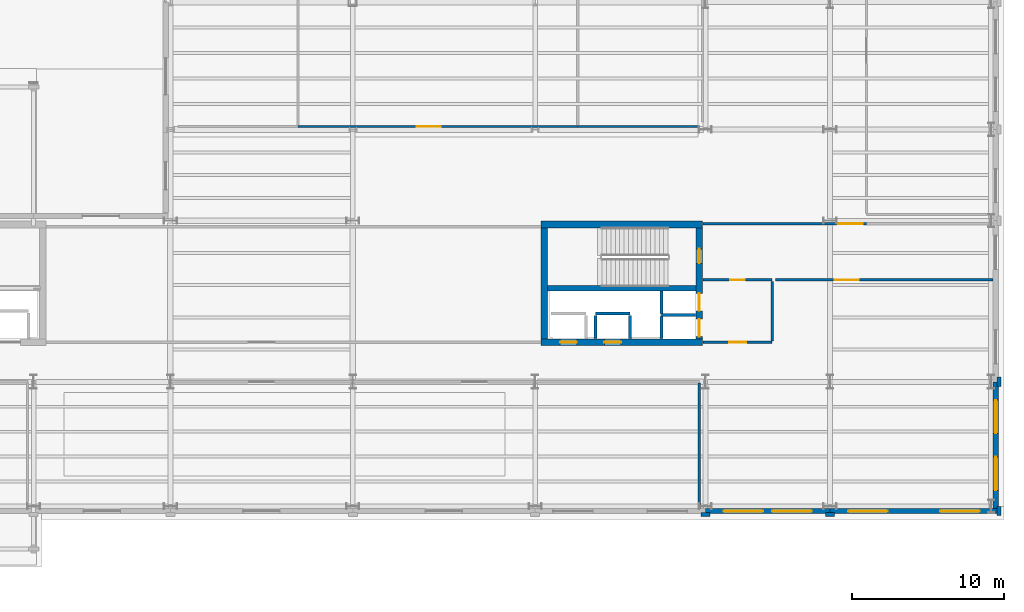
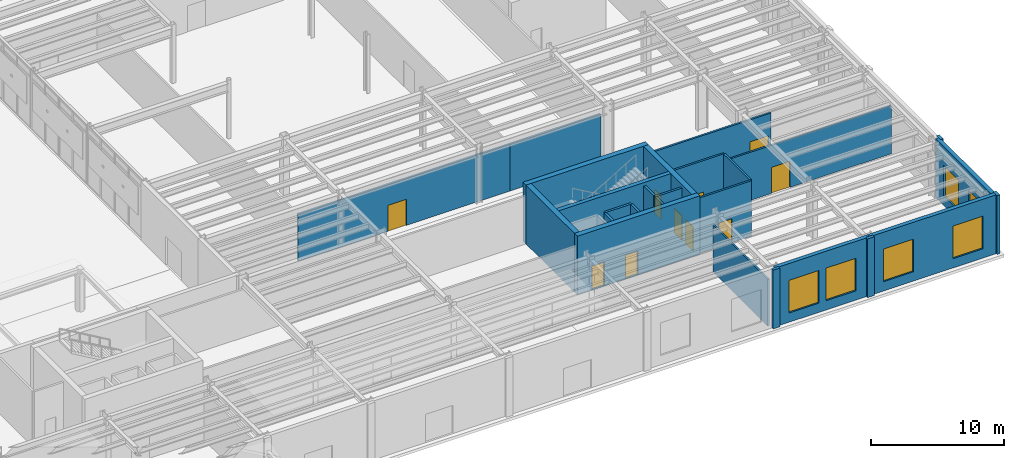
# One storey, part 78 of 94: 26 walls, 10 doors, 6 windows, 16 openings.
"""IFC4 building model written with IfcOpenShell, lengths in metres."""

from ifc_helpers import new_model, si_unit, direction, frame, frame_2d, origin, place, context, subcontext, project, spatial, rectangle, extrude, material, layer, layer_set, type_object, element, fill, save


model = new_model("IFC4")

# Units and contexts
model_context = context("Model", 3, precision=1e-05, world=origin(), true_north=direction((0.0, 1.0)))
body_context = subcontext(model_context, "Body", "Model", "MODEL_VIEW")
ifc_project = project(units=[si_unit("LENGTHUNIT", "METRE"), si_unit("AREAUNIT", "SQUARE_METRE"), si_unit("VOLUMEUNIT", "CUBIC_METRE"), si_unit("PLANEANGLEUNIT", "RADIAN"), si_unit("MASSUNIT", "GRAM", prefix="KILO")], contexts=[model_context])

# Site, building, storey
site_placement = place(None, origin())
site = spatial("IfcSite", under=ifc_project, at=site_placement, CompositionType="ELEMENT")
building_placement = place(site_placement, origin())
building = spatial("IfcBuilding", under=site, at=building_placement, Name="Sollismere Congress Hotel", CompositionType="ELEMENT")
storey_placement = place(building_placement, origin())
storey = spatial("IfcBuildingStorey", under=building, at=storey_placement, Name="L00", CompositionType="ELEMENT", Elevation=0.0)

# Wall, openings, windows
ifc_material_1 = material(Name="Colorado Buff Sandstone and Limestone Backup C40/50", Category="masonry")
ifc_layer_1 = layer(ifc_material_1, 0.340087890625, Name="Colorado Buff Sandstone and Limestone Backup C40/50")
ifc_layer_set_1 = layer_set([ifc_layer_1], Name="Colorado Buff Sandstone and Limestone Backup C40/50")
wall_type_1 = type_object("IfcWallType", Name="WL-EXT340", PredefinedType="STANDARD", material=ifc_layer_set_1)
wall_1_placement = place(storey_placement, frame((147.199951171875, -0.31005859375, 0.0), z_axis=(0.0, 0.0, 1.0), x_axis=(1.0, 0.0, 0.0)))
wall_1 = element("IfcWall", 1, at=wall_1_placement, inside=storey, type_object=wall_type_1, Name="Exterior wall EW-L00-244", PredefinedType="STANDARD", context=body_context, shape_type="SweptSolid", body=[
    extrude(rectangle(XDim=8.199951171875, YDim=0.340087890625, at=frame_2d((4.10009765625, 0.0))), origin(), (0.0, 0.0, 1.0), 5.39990234375),
])
opening_1_placement = place(wall_1_placement, frame((1.199951171875, 0.0, 0.85009765625)))
opening_1 = element("IfcOpeningElement", 2, at=opening_1_placement, cuts=wall_1, Name="Opening W-L00-202", PredefinedType="OPENING", context=body_context, shape_type="SweptSolid", body=[
    extrude(rectangle(XDim=2.60009765625, YDim=3.0, at=frame_2d((1.300048828125, 1.5))), frame((0.0, 0.179931640625, 0.0), z_axis=(0.0, -1.0, 0.0), x_axis=(1.0, 0.0, 0.0)), (0.0, 0.0, 1.0), 0.360107421875),
])
opening_2_placement = place(wall_1_placement, frame((4.39990234375, 0.0, 0.85009765625)))
opening_2 = element("IfcOpeningElement", 3, at=opening_2_placement, cuts=wall_1, Name="Opening W-L00-203", PredefinedType="OPENING", context=body_context, shape_type="SweptSolid", body=[
    extrude(rectangle(XDim=2.60009765625, YDim=3.0, at=frame_2d((1.300048828125, 1.5))), frame((0.0, 0.179931640625, 0.0), z_axis=(0.0, -1.0, 0.0), x_axis=(1.0, 0.0, 0.0)), (0.0, 0.0, 1.0), 0.360107421875),
])
ifc_material_2 = material(Name="Thermally Broken Bronze Aluminum & Low-E Glass", Category="aluminium")
window_type_1 = type_object("IfcWindowType", Name="WN-A260x300", PartitioningType="SINGLE_PANEL", PredefinedType="WINDOW", material=ifc_material_2)
window_1_placement = place(opening_1_placement, origin())
window_1 = element("IfcWindow", 4, at=window_1_placement, inside=storey, type_object=window_type_1, Name="WIN-W-L00-202", OverallHeight=3.0, OverallWidth=2.60009765625, PartitioningType="SINGLE_PANEL", PredefinedType="WINDOW", context=body_context, shape_type="SweptSolid", body=[
    extrude(rectangle(XDim=2.60009765625, YDim=3.0, at=frame_2d((1.300048828125, 1.5))), frame((0.0, 0.030029296875, 0.0), z_axis=(0.0, -1.0, 0.0), x_axis=(1.0, 0.0, 0.0)), (0.0, 0.0, 1.0), 0.06005859375),
])
fill(opening_1, window_1)
window_2_placement = place(opening_2_placement, origin())
window_2 = element("IfcWindow", 5, at=window_2_placement, inside=storey, type_object=window_type_1, Name="WIN-W-L00-203", OverallHeight=3.0, OverallWidth=2.60009765625, PartitioningType="SINGLE_PANEL", PredefinedType="WINDOW", context=body_context, shape_type="SweptSolid", body=[
    extrude(rectangle(XDim=2.60009765625, YDim=3.0, at=frame_2d((1.300048828125, 1.5))), frame((0.0, 0.030029296875, 0.0), z_axis=(0.0, -1.0, 0.0), x_axis=(1.0, 0.0, 0.0)), (0.0, 0.0, 1.0), 0.06005859375),
])
fill(opening_2, window_2)

wall_2_placement = place(storey_placement, frame((155.39990234375, -0.31005859375, 0.0), z_axis=(0.0, 0.0, 1.0), x_axis=(1.0, 0.0, 0.0)))
wall_2 = element("IfcWall", 6, at=wall_2_placement, inside=storey, type_object=wall_type_1, Name="Exterior wall EW-L00-246", PredefinedType="STANDARD", context=body_context, shape_type="SweptSolid", body=[
    extrude(rectangle(XDim=11.050048828125, YDim=0.340087890625, at=frame_2d((5.52490234375, 0.0))), origin(), (0.0, 0.0, 1.0), 5.39990234375),
])
opening_3_placement = place(wall_2_placement, frame((1.199951171875, 0.0, 0.85009765625)))
opening_3 = element("IfcOpeningElement", 7, at=opening_3_placement, cuts=wall_2, Name="Opening W-L00-204", PredefinedType="OPENING", context=body_context, shape_type="SweptSolid", body=[
    extrude(rectangle(XDim=2.60009765625, YDim=3.0, at=frame_2d((1.300048828125, 1.5))), frame((0.0, 0.179931640625, 0.0), z_axis=(0.0, -1.0, 0.0), x_axis=(1.0, 0.0, 0.0)), (0.0, 0.0, 1.0), 0.360107421875),
])
opening_4_placement = place(wall_2_placement, frame((7.25, 0.0, 0.85009765625)))
opening_4 = element("IfcOpeningElement", 8, at=opening_4_placement, cuts=wall_2, Name="Opening W-L00-205", PredefinedType="OPENING", context=body_context, shape_type="SweptSolid", body=[
    extrude(rectangle(XDim=2.60009765625, YDim=3.0, at=frame_2d((1.300048828125, 1.5))), frame((0.0, 0.179931640625, 0.0), z_axis=(0.0, -1.0, 0.0), x_axis=(1.0, 0.0, 0.0)), (0.0, 0.0, 1.0), 0.360107421875),
])
window_3_placement = place(opening_3_placement, origin())
window_3 = element("IfcWindow", 9, at=window_3_placement, inside=storey, type_object=window_type_1, Name="WIN-W-L00-204", OverallHeight=3.0, OverallWidth=2.60009765625, PartitioningType="SINGLE_PANEL", PredefinedType="WINDOW", context=body_context, shape_type="SweptSolid", body=[
    extrude(rectangle(XDim=2.60009765625, YDim=3.0, at=frame_2d((1.300048828125, 1.5))), frame((0.0, 0.030029296875, 0.0), z_axis=(0.0, -1.0, 0.0), x_axis=(1.0, 0.0, 0.0)), (0.0, 0.0, 1.0), 0.06005859375),
])
fill(opening_3, window_3)
window_4_placement = place(opening_4_placement, origin())
window_4 = element("IfcWindow", 10, at=window_4_placement, inside=storey, type_object=window_type_1, Name="WIN-W-L00-205", OverallHeight=3.0, OverallWidth=2.60009765625, PartitioningType="SINGLE_PANEL", PredefinedType="WINDOW", context=body_context, shape_type="SweptSolid", body=[
    extrude(rectangle(XDim=2.60009765625, YDim=3.0, at=frame_2d((1.300048828125, 1.5))), frame((0.0, 0.030029296875, 0.0), z_axis=(0.0, -1.0, 0.0), x_axis=(1.0, 0.0, 0.0)), (0.0, 0.0, 1.0), 0.06005859375),
])
fill(opening_4, window_4)

wall_3_placement = place(storey_placement, frame((166.31005859375, -0.137939453125, 0.0), z_axis=(0.0, 0.0, 1.0), x_axis=(0.0, 1.0, 0.0)))
wall_3 = element("IfcWall", 11, at=wall_3_placement, inside=storey, type_object=wall_type_1, Name="Exterior wall EW-L00-248", PredefinedType="STANDARD", context=body_context, shape_type="SweptSolid", body=[
    extrude(rectangle(XDim=8.337890625, YDim=0.340087890625, at=frame_2d((4.1689453125, 0.0))), origin(), (0.0, 0.0, 1.0), 5.39990234375),
])
opening_5_placement = place(wall_3_placement, frame((1.199951171875, 0.0, 0.85009765625)))
opening_5 = element("IfcOpeningElement", 12, at=opening_5_placement, cuts=wall_3, Name="Opening W-L00-206", PredefinedType="OPENING", context=body_context, shape_type="SweptSolid", body=[
    extrude(rectangle(XDim=2.199951171875, YDim=2.800048828125, at=frame_2d((1.10009765625, 1.39990234375))), frame((0.0, 0.179931640625, 0.0), z_axis=(0.0, -1.0, 0.0), x_axis=(1.0, 0.0, 0.0)), (0.0, 0.0, 1.0), 0.360107421875),
])
opening_6_placement = place(wall_3_placement, frame((4.93798828125, 0.0, 0.85009765625)))
opening_6 = element("IfcOpeningElement", 13, at=opening_6_placement, cuts=wall_3, Name="Opening W-L00-207", PredefinedType="OPENING", context=body_context, shape_type="SweptSolid", body=[
    extrude(rectangle(XDim=2.199951171875, YDim=2.800048828125, at=frame_2d((1.10009765625, 1.39990234375))), frame((0.0, 0.179931640625, 0.0), z_axis=(0.0, -1.0, 0.0), x_axis=(1.0, 0.0, 0.0)), (0.0, 0.0, 1.0), 0.360107421875),
])
window_type_2 = type_object("IfcWindowType", Name="WN-A220x280", PartitioningType="SINGLE_PANEL", PredefinedType="WINDOW", material=ifc_material_2)
window_5_placement = place(opening_5_placement, origin())
window_5 = element("IfcWindow", 14, at=window_5_placement, inside=storey, type_object=window_type_2, Name="WIN-W-L00-206", OverallHeight=2.800048828125, OverallWidth=2.199951171875, PartitioningType="SINGLE_PANEL", PredefinedType="WINDOW", context=body_context, shape_type="SweptSolid", body=[
    extrude(rectangle(XDim=2.199951171875, YDim=2.800048828125, at=frame_2d((1.10009765625, 1.39990234375))), frame((0.0, 0.030029296875, 0.0), z_axis=(0.0, -1.0, 0.0), x_axis=(1.0, 0.0, 0.0)), (0.0, 0.0, 1.0), 0.06005859375),
])
fill(opening_5, window_5)
window_6_placement = place(opening_6_placement, origin())
window_6 = element("IfcWindow", 15, at=window_6_placement, inside=storey, type_object=window_type_2, Name="WIN-W-L00-207", OverallHeight=2.800048828125, OverallWidth=2.199951171875, PartitioningType="SINGLE_PANEL", PredefinedType="WINDOW", context=body_context, shape_type="SweptSolid", body=[
    extrude(rectangle(XDim=2.199951171875, YDim=2.800048828125, at=frame_2d((1.10009765625, 1.39990234375))), frame((0.0, 0.030029296875, 0.0), z_axis=(0.0, -1.0, 0.0), x_axis=(1.0, 0.0, 0.0)), (0.0, 0.0, 1.0), 0.06005859375),
])
fill(opening_6, window_6)

# Walls
ifc_material_3 = material(Name="Carved Travertine Pilaster & Frieze Assembly", Category="masonry")
ifc_layer_2 = layer(ifc_material_3, 0.260009765625, Name="Carved Travertine Pilaster & Frieze Assembly")
ifc_layer_set_2 = layer_set([ifc_layer_2], Name="Carved Travertine Pilaster & Frieze Assembly")
wall_type_2 = type_object("IfcWallType", Name="WL-PIL280", PredefinedType="ELEMENTEDWALL", material=ifc_layer_set_2)
wall_4_placement = place(storey_placement, frame((146.89990234375, -0.52001953125, 0.0), z_axis=(0.0, 0.0, 1.0), x_axis=(1.0, 0.0, 0.0)))
element("IfcWall", 16, at=wall_4_placement, inside=storey, type_object=wall_type_2, Name="Exterior wall EW-L00-245", PredefinedType="ELEMENTEDWALL", context=body_context, shape_type="SweptSolid", body=[
    extrude(rectangle(XDim=0.60009765625, YDim=0.260009765625, at=frame_2d((0.300048828125, 0.0))), origin(), (0.0, 0.0, 1.0), 5.39990234375),
])
wall_5_placement = place(storey_placement, frame((155.10009765625, -0.52001953125, 0.0), z_axis=(0.0, 0.0, 1.0), x_axis=(1.0, 0.0, 0.0)))
element("IfcWall", 17, at=wall_5_placement, inside=storey, type_object=wall_type_2, Name="Exterior wall EW-L00-247", PredefinedType="ELEMENTEDWALL", context=body_context, shape_type="SweptSolid", body=[
    extrude(rectangle(XDim=0.599853515625, YDim=0.260009765625, at=frame_2d((0.2998046875, 0.0))), origin(), (0.0, 0.0, 1.0), 5.39990234375),
])
for number, where, z_axis, x_axis, name in (
    (18, (166.52001953125, -0.610107421875, 0.0), (0.0, 0.0, 1.0), (0.0, 1.0, 0.0), "Exterior wall EW-L00-249"),
    (19, (166.52001953125, 7.89990234375, 0.0), (0.0, 0.0, 1.0), (0.0, 1.0, 0.0), "Exterior wall EW-L00-251"),
):
    element("IfcWall", number, at=place(storey_placement, frame(where, z_axis=z_axis, x_axis=x_axis)), inside=storey, type_object=wall_type_2, Name=name, PredefinedType="ELEMENTEDWALL", context=body_context, shape_type="SweptSolid", body=[
        extrude(rectangle(XDim=0.60009765625, YDim=0.260009765625, at=frame_2d((0.300048828125, 0.0))), origin(), (0.0, 0.0, 1.0), 5.39990234375),
    ])
ifc_material_4 = material(Name="Moisture-Resistant Shaft Gypsum Assembly")
ifc_layer_3 = layer(ifc_material_4, 0.199951171875, Name="Moisture-Resistant Shaft Gypsum Assembly")
ifc_layer_set_3 = layer_set([ifc_layer_3], Name="Moisture-Resistant Shaft Gypsum Assembly")
wall_type_3 = type_object("IfcWallType", Name="WL-PLM200", PredefinedType="PLUMBINGWALL", material=ifc_layer_set_3)
wall_6_placement = place(storey_placement, frame((139.955078125, 12.68994140625, 0.0), z_axis=(0.0, 0.0, 1.0), x_axis=(1.0, 0.0, 0.0)))
element("IfcWall", 20, at=wall_6_placement, inside=storey, type_object=wall_type_3, Name="Interior wall IW-L00-0024", PredefinedType="PLUMBINGWALL", context=body_context, shape_type="SweptSolid", body=[
    extrude(rectangle(XDim=2.2900390625, YDim=0.199951171875, at=frame_2d((1.14501953125, 0.0))), origin(), (0.0, 0.0, 1.0), 5.090087890625),
])
for number, where, z_axis, x_axis, name in (
    (21, (139.955078125, 11.037109375, 0.0), (0.0, 0.0, 1.0), (0.0, 1.0, 0.0), "Interior wall IW-L00-0025"),
    (22, (142.2451171875, 11.037109375, 0.0), (0.0, 0.0, 1.0), (0.0, 1.0, 0.0), "Interior wall IW-L00-0026"),
):
    element("IfcWall", number, at=place(storey_placement, frame(where, z_axis=z_axis, x_axis=x_axis)), inside=storey, type_object=wall_type_3, Name=name, PredefinedType="PLUMBINGWALL", context=body_context, shape_type="SweptSolid", body=[
        extrude(rectangle(XDim=1.540771484375, YDim=0.199951171875, at=frame_2d((0.7705078125, 0.0))), origin(), (0.0, 0.0, 1.0), 5.090087890625),
    ])
wall_7_placement = place(storey_placement, frame((144.31005859375, 12.594970703125, 0.0), z_axis=(0.0, 0.0, 1.0), x_axis=(1.0, 0.0, 0.0)))
element("IfcWall", 23, at=wall_7_placement, inside=storey, type_object=wall_type_3, Name="Interior wall IW-L00-0027", PredefinedType="PLUMBINGWALL", context=body_context, shape_type="SweptSolid", body=[
    extrude(rectangle(XDim=2.2529296875, YDim=0.199951171875, at=frame_2d((1.12646484375, 0.0))), origin(), (0.0, 0.0, 1.0), 5.090087890625),
])
wall_8_placement = place(storey_placement, frame((144.31005859375, 11.037109375, 0.0), z_axis=(0.0, 0.0, 1.0), x_axis=(0.0, 1.0, 0.0)))
element("IfcWall", 24, at=wall_8_placement, inside=storey, type_object=wall_type_3, Name="Interior wall IW-L00-0028", PredefinedType="PLUMBINGWALL", context=body_context, shape_type="SweptSolid", body=[
    extrude(rectangle(XDim=1.44580078125, YDim=0.199951171875, at=frame_2d((0.722900390625, 0.0))), origin(), (0.0, 0.0, 1.0), 5.090087890625),
])
wall_9_placement = place(storey_placement, frame((144.31005859375, 12.70703125, 0.0), z_axis=(0.0, 0.0, 1.0), x_axis=(0.0, 1.0, 0.0)))
element("IfcWall", 25, at=wall_9_placement, inside=storey, type_object=wall_type_3, Name="Interior wall IW-L00-0029", PredefinedType="PLUMBINGWALL", context=body_context, shape_type="SweptSolid", body=[
    extrude(rectangle(XDim=1.4560546875, YDim=0.199951171875, at=frame_2d((0.72802734375, 0.0))), origin(), (0.0, 0.0, 1.0), 5.090087890625),
])

# Wall, opening, door
ifc_material_5 = material(Name="Fire-Rated Gypsum Partition")
ifc_layer_4 = layer(ifc_material_5, 0.139892578125, Name="Fire-Rated Gypsum Partition")
ifc_layer_set_4 = layer_set([ifc_layer_4], Name="Fire-Rated Gypsum Partition")
wall_type_4 = type_object("IfcWallType", Name="WL-PRT140R", PredefinedType="PARTITIONING", material=ifc_layer_set_4)
wall_10_placement = place(storey_placement, frame((120.39990234375, 25.0, 0.0), z_axis=(0.0, 0.0, 1.0), x_axis=(1.0, 0.0, 0.0)))
wall_10 = element("IfcWall", 26, at=wall_10_placement, inside=storey, type_object=wall_type_4, Name="Interior wall IW-L00-0790", PredefinedType="PARTITIONING", context=body_context, shape_type="SweptSolid", body=[
    extrude(rectangle(XDim=18.400146484375, YDim=0.139892578125, at=frame_2d((9.2001953125, 0.0))), origin(), (0.0, 0.0, 1.0), 4.327880859375),
])
opening_7_placement = place(wall_10_placement, frame((7.800048828125, 0.0, 0.0)))
opening_7 = element("IfcOpeningElement", 27, at=opening_7_placement, cuts=wall_10, Name="Opening D-L00-0269", PredefinedType="OPENING", context=body_context, shape_type="SweptSolid", body=[
    extrude(rectangle(XDim=1.60009765625, YDim=2.39990234375, at=frame_2d((0.800048828125, 1.199951171875))), frame((0.0, 0.079833984375, 0.0), z_axis=(0.0, -1.0, 0.0), x_axis=(1.0, 0.0, 0.0)), (0.0, 0.0, 1.0), 0.159912109375),
])
ifc_material_6 = material(Name="Acoustic Oak Double Meeting Door")
door_type_1 = type_object("IfcDoorType", Name="DR-MT160", OperationType="NOTDEFINED", PredefinedType="DOOR", material=ifc_material_6)
door_1_placement = place(opening_7_placement, origin())
door_1 = element("IfcDoor", 28, at=door_1_placement, inside=storey, type_object=door_type_1, Name="Interior door D-L00-0269", OperationType="DOUBLE_DOOR_SINGLE_SWING", OverallHeight=2.39990234375, OverallWidth=1.60009765625, PredefinedType="DOOR", context=body_context, shape_type="SweptSolid", body=[
    extrude(rectangle(XDim=1.60009765625, YDim=2.39990234375, at=frame_2d((0.800048828125, 1.199951171875))), frame((0.0, 0.02490234375, 0.0), z_axis=(0.0, -1.0, 0.0), x_axis=(1.0, 0.0, 0.0)), (0.0, 0.0, 1.0), 0.050048828125),
])
fill(opening_7, door_1)

# Walls
wall_11_placement = place(storey_placement, frame((138.800048828125, 25.0, 0.0), z_axis=(0.0, 0.0, 1.0), x_axis=(1.0, 0.0, 0.0)))
element("IfcWall", 29, at=wall_11_placement, inside=storey, type_object=wall_type_4, Name="Interior wall IW-L00-0791", PredefinedType="PARTITIONING", context=body_context, shape_type="SweptSolid", body=[
    extrude(rectangle(XDim=7.89990234375, YDim=0.139892578125, at=frame_2d((3.949951171875, 0.0))), origin(), (0.0, 0.0, 1.0), 4.327880859375),
])
wall_12_placement = place(storey_placement, frame((146.800048828125, -0.125, 0.0), z_axis=(0.0, 0.0, 1.0), x_axis=(0.0, 1.0, 0.0)))
element("IfcWall", 30, at=wall_12_placement, inside=storey, type_object=wall_type_4, Name="Interior wall IW-L00-0834", PredefinedType="PARTITIONING", context=body_context, shape_type="SweptSolid", body=[
    extrude(rectangle(XDim=8.242919921875, YDim=0.139892578125, at=frame_2d((4.12158203125, 0.0))), origin(), (0.0, 0.0, 1.0), 4.327880859375),
])

# Wall, opening, door
ifc_material_7 = material(Name="Fire-Rated Acoustic Gypsum Partition")
ifc_layer_5 = layer(ifc_material_7, 0.1650390625, Name="Fire-Rated Acoustic Gypsum Partition")
ifc_layer_set_5 = layer_set([ifc_layer_5], Name="Fire-Rated Acoustic Gypsum Partition")
wall_type_5 = type_object("IfcWallType", Name="WL-PRT165R", PredefinedType="PARTITIONING", material=ifc_layer_set_5)
wall_13_placement = place(storey_placement, frame((147.050048828125, 10.800048828125, 0.0), z_axis=(0.0, 0.0, 1.0), x_axis=(1.0, 0.0, 0.0)))
wall_13 = element("IfcWall", 31, at=wall_13_placement, inside=storey, type_object=wall_type_5, Name="Interior wall IW-L00-0030", PredefinedType="PARTITIONING", context=body_context, shape_type="SweptSolid", body=[
    extrude(rectangle(XDim=4.550048828125, YDim=0.1650390625, at=frame_2d((2.27490234375, 0.0))), origin(), (0.0, 0.0, 1.0), 5.090087890625),
])
opening_8_placement = place(wall_13_placement, frame((1.72509765625, 0.0, 0.0)))
opening_8 = element("IfcOpeningElement", 32, at=opening_8_placement, cuts=wall_13, Name="Opening D-FFL-L00", PredefinedType="OPENING", context=body_context, shape_type="SweptSolid", body=[
    extrude(rectangle(XDim=1.10009765625, YDim=2.199951171875, at=frame_2d((0.550048828125, 1.10009765625))), frame((0.0, 0.092529296875, 0.0), z_axis=(0.0, -1.0, 0.0), x_axis=(1.0, 0.0, 0.0)), (0.0, 0.0, 1.0), 0.18505859375),
])
ifc_material_8 = material(Name="Smoke-Barrier Rated Timber-Clad Steel Door", Category="steel")
door_type_2 = type_object("IfcDoorType", Name="DR-FFL110", OperationType="NOTDEFINED", PredefinedType="DOOR", material=ifc_material_8)
door_2_placement = place(opening_8_placement, origin())
door_2 = element("IfcDoor", 33, at=door_2_placement, inside=storey, type_object=door_type_2, Name="Firefighting lobby smoke door D-FFL-L00", OperationType="SINGLE_SWING_LEFT", OverallHeight=2.199951171875, OverallWidth=1.10009765625, PredefinedType="DOOR", context=body_context, shape_type="SweptSolid", body=[
    extrude(rectangle(XDim=1.10009765625, YDim=2.199951171875, at=frame_2d((0.550048828125, 1.10009765625))), frame((0.0, 0.02490234375, 0.0), z_axis=(0.0, -1.0, 0.0), x_axis=(1.0, 0.0, 0.0)), (0.0, 0.0, 1.0), 0.050048828125),
])
fill(opening_8, door_2)

wall_14_placement = place(storey_placement, frame((147.050048828125, 14.89990234375, 0.0), z_axis=(0.0, 0.0, 1.0), x_axis=(1.0, 0.0, 0.0)))
wall_14 = element("IfcWall", 34, at=wall_14_placement, inside=storey, type_object=wall_type_5, Name="Interior wall IW-L00-0031", PredefinedType="PARTITIONING", context=body_context, shape_type="SweptSolid", body=[
    extrude(rectangle(XDim=4.550048828125, YDim=0.1650390625, at=frame_2d((2.27490234375, 0.0))), origin(), (0.0, 0.0, 1.0), 5.090087890625),
])
opening_9_placement = place(wall_14_placement, frame((1.800048828125, 0.0, 0.0)))
opening_9 = element("IfcOpeningElement", 35, at=opening_9_placement, cuts=wall_14, Name="Opening D-FFS-L00", PredefinedType="OPENING", context=body_context, shape_type="SweptSolid", body=[
    extrude(rectangle(XDim=0.949951171875, YDim=2.199951171875, at=frame_2d((0.47509765625, 1.10009765625))), frame((0.0, 0.092529296875, 0.0), z_axis=(0.0, -1.0, 0.0), x_axis=(1.0, 0.0, 0.0)), (0.0, 0.0, 1.0), 0.18505859375),
])
ifc_material_9 = material(Name="Fire-Rated Insulated Steel Door", Category="steel")
door_type_3 = type_object("IfcDoorType", Name="DR-FD90", OperationType="NOTDEFINED", PredefinedType="DOOR", material=ifc_material_9)
door_3_placement = place(opening_9_placement, origin())
door_3 = element("IfcDoor", 36, at=door_3_placement, inside=storey, type_object=door_type_3, Name="Firefighting stair vestibule door D-FFS-L00", OperationType="SINGLE_SWING_RIGHT", OverallHeight=2.199951171875, OverallWidth=0.949951171875, PredefinedType="DOOR", context=body_context, shape_type="SweptSolid", body=[
    extrude(rectangle(XDim=0.949951171875, YDim=2.199951171875, at=frame_2d((0.47509765625, 1.10009765625))), frame((0.0, 0.02490234375, 0.0), z_axis=(0.0, -1.0, 0.0), x_axis=(1.0, 0.0, 0.0)), (0.0, 0.0, 1.0), 0.050048828125),
])
fill(opening_9, door_3)

# Wall
wall_15_placement = place(storey_placement, frame((151.60009765625, 10.89453125, 0.0), z_axis=(0.0, 0.0, 1.0), x_axis=(0.0, 1.0, 0.0)))
element("IfcWall", 37, at=wall_15_placement, inside=storey, type_object=wall_type_5, Name="Interior wall IW-L00-0032", PredefinedType="PARTITIONING", context=body_context, shape_type="SweptSolid", body=[
    extrude(rectangle(XDim=3.910888671875, YDim=0.1650390625, at=frame_2d((1.95556640625, 0.0))), origin(), (0.0, 0.0, 1.0), 5.090087890625),
])

# Wall, opening, door
wall_16_placement = place(storey_placement, frame((151.800048828125, 14.89990234375, 0.0), z_axis=(0.0, 0.0, 1.0), x_axis=(1.0, 0.0, 0.0)))
wall_16 = element("IfcWall", 38, at=wall_16_placement, inside=storey, type_object=wall_type_5, Name="Interior wall IW-L00-0782", PredefinedType="PARTITIONING", context=body_context, shape_type="SweptSolid", body=[
    extrude(rectangle(XDim=14.324951171875, YDim=0.1650390625, at=frame_2d((7.16259765625, 0.0))), origin(), (0.0, 0.0, 1.0), 4.4189453125),
])
opening_10_placement = place(wall_16_placement, frame((3.89990234375, 0.0, 0.0)))
opening_10 = element("IfcOpeningElement", 39, at=opening_10_placement, cuts=wall_16, Name="Opening D-L00-0267", PredefinedType="OPENING", context=body_context, shape_type="SweptSolid", body=[
    extrude(rectangle(XDim=1.60009765625, YDim=2.39990234375, at=frame_2d((0.800048828125, 1.199951171875))), frame((0.0, 0.092529296875, 0.0), z_axis=(0.0, -1.0, 0.0), x_axis=(1.0, 0.0, 0.0)), (0.0, 0.0, 1.0), 0.18505859375),
])
door_4_placement = place(opening_10_placement, origin())
door_4 = element("IfcDoor", 40, at=door_4_placement, inside=storey, type_object=door_type_1, Name="Interior door D-L00-0267", OperationType="DOUBLE_DOOR_SINGLE_SWING", OverallHeight=2.39990234375, OverallWidth=1.60009765625, PredefinedType="DOOR", context=body_context, shape_type="SweptSolid", body=[
    extrude(rectangle(XDim=1.60009765625, YDim=2.39990234375, at=frame_2d((0.800048828125, 1.199951171875))), frame((0.0, 0.02490234375, 0.0), z_axis=(0.0, -1.0, 0.0), x_axis=(1.0, 0.0, 0.0)), (0.0, 0.0, 1.0), 0.050048828125),
])
fill(opening_10, door_4)

wall_17_placement = place(storey_placement, frame((147.050048828125, 18.60009765625, 0.0), z_axis=(0.0, 0.0, 1.0), x_axis=(1.0, 0.0, 0.0)))
wall_17 = element("IfcWall", 41, at=wall_17_placement, inside=storey, type_object=wall_type_5, Name="Interior wall IW-L00-0784", PredefinedType="PARTITIONING", context=body_context, shape_type="SweptSolid", body=[
    extrude(rectangle(XDim=10.75, YDim=0.1650390625, at=frame_2d((5.375, 0.0))), origin(), (0.0, 0.0, 1.0), 4.4189453125),
])
opening_11_placement = place(wall_17_placement, frame((8.89990234375, 0.0, 0.0)))
opening_11 = element("IfcOpeningElement", 42, at=opening_11_placement, cuts=wall_17, Name="Opening D-L00-0268", PredefinedType="OPENING", context=body_context, shape_type="SweptSolid", body=[
    extrude(rectangle(XDim=1.60009765625, YDim=2.39990234375, at=frame_2d((0.800048828125, 1.199951171875))), frame((0.0, 0.092529296875, 0.0), z_axis=(0.0, -1.0, 0.0), x_axis=(1.0, 0.0, 0.0)), (0.0, 0.0, 1.0), 0.18505859375),
])
door_5_placement = place(opening_11_placement, origin())
door_5 = element("IfcDoor", 43, at=door_5_placement, inside=storey, type_object=door_type_1, Name="Interior door D-L00-0268", OperationType="DOUBLE_DOOR_SINGLE_SWING", OverallHeight=2.39990234375, OverallWidth=1.60009765625, PredefinedType="DOOR", context=body_context, shape_type="SweptSolid", body=[
    extrude(rectangle(XDim=1.60009765625, YDim=2.39990234375, at=frame_2d((0.800048828125, 1.199951171875))), frame((0.0, 0.02490234375, 0.0), z_axis=(0.0, -1.0, 0.0), x_axis=(1.0, 0.0, 0.0)), (0.0, 0.0, 1.0), 0.050048828125),
])
fill(opening_11, door_5)

# Wall
ifc_material_10 = material(Name="Concrete C50/60", Category="concrete")
ifc_layer_6 = layer(ifc_material_10, 0.35009765625, Name="Concrete C50/60")
ifc_layer_set_6 = layer_set([ifc_layer_6], Name="Concrete C50/60")
wall_type_6 = type_object("IfcWallType", Name="WL-SHR350", PredefinedType="SHEAR", material=ifc_layer_set_6)
wall_18_placement = place(storey_placement, frame((136.824951171875, 14.35009765625, 0.0), z_axis=(0.0, 0.0, 1.0), x_axis=(1.0, 0.0, 0.0)))
element("IfcWall", 44, at=wall_18_placement, inside=storey, type_object=wall_type_6, Name="Interior wall IW-L00-0021", PredefinedType="SHEAR", context=body_context, shape_type="SweptSolid", body=[
    extrude(rectangle(XDim=9.75, YDim=0.35009765625, at=frame_2d((4.875, 0.0))), origin(), (0.0, 0.0, 1.0), 5.39990234375),
])

# Wall, openings, doors
ifc_layer_7 = layer(ifc_material_10, 0.449951171875, Name="Concrete C50/60")
ifc_layer_set_7 = layer_set([ifc_layer_7], Name="Concrete C50/60")
wall_type_7 = type_object("IfcWallType", Name="WL-SHR450", PredefinedType="SHEAR", material=ifc_layer_set_7)
wall_19_placement = place(storey_placement, frame((136.375, 10.800048828125, 0.0), z_axis=(0.0, 0.0, 1.0), x_axis=(1.0, 0.0, 0.0)))
wall_19 = element("IfcWall", 45, at=wall_19_placement, inside=storey, type_object=wall_type_7, Name="Interior wall IW-L00-0017", PredefinedType="SHEAR", context=body_context, shape_type="SweptSolid", body=[
    extrude(rectangle(XDim=10.64990234375, YDim=0.449951171875, at=frame_2d((5.324951171875, 0.0))), origin(), (0.0, 0.0, 1.0), 5.39990234375),
])
opening_12_placement = place(wall_19_placement, frame((1.27490234375, 0.0, 0.0)))
opening_12 = element("IfcOpeningElement", 46, at=opening_12_placement, cuts=wall_19, Name="Opening LD-LP-01-L00", PredefinedType="OPENING", context=body_context, shape_type="SweptSolid", body=[
    extrude(rectangle(XDim=1.10009765625, YDim=2.199951171875, at=frame_2d((0.550048828125, 1.10009765625))), frame((0.0, 0.23486328125, 0.0), z_axis=(0.0, -1.0, 0.0), x_axis=(1.0, 0.0, 0.0)), (0.0, 0.0, 1.0), 0.469970703125),
])
opening_13_placement = place(wall_19_placement, frame((4.175048828125, 0.0, 0.0)))
opening_13 = element("IfcOpeningElement", 47, at=opening_13_placement, cuts=wall_19, Name="Opening LD-LP-02-L00", PredefinedType="OPENING", context=body_context, shape_type="SweptSolid", body=[
    extrude(rectangle(XDim=1.10009765625, YDim=2.199951171875, at=frame_2d((0.550048828125, 1.10009765625))), frame((0.0, 0.23486328125, 0.0), z_axis=(0.0, -1.0, 0.0), x_axis=(1.0, 0.0, 0.0)), (0.0, 0.0, 1.0), 0.469970703125),
])
ifc_material_11 = material(Name="Brushed Bronze Sliding Elevator Landing Door")
door_type_4 = type_object("IfcDoorType", Name="DR-LD110", OperationType="NOTDEFINED", PredefinedType="DOOR", material=ifc_material_11)
door_6_placement = place(opening_12_placement, origin())
door_6 = element("IfcDoor", 48, at=door_6_placement, inside=storey, type_object=door_type_4, Name="Elevator landing door LD-LP-01-L00", OperationType="SLIDING_TO_LEFT", OverallHeight=2.199951171875, OverallWidth=1.10009765625, PredefinedType="DOOR", context=body_context, shape_type="SweptSolid", body=[
    extrude(rectangle(XDim=1.10009765625, YDim=2.199951171875, at=frame_2d((0.550048828125, 1.10009765625))), frame((0.0, 0.02490234375, 0.0), z_axis=(0.0, -1.0, 0.0), x_axis=(1.0, 0.0, 0.0)), (0.0, 0.0, 1.0), 0.050048828125),
])
fill(opening_12, door_6)
door_7_placement = place(opening_13_placement, origin())
door_7 = element("IfcDoor", 49, at=door_7_placement, inside=storey, type_object=door_type_4, Name="Elevator landing door LD-LP-02-L00", OperationType="SLIDING_TO_RIGHT", OverallHeight=2.199951171875, OverallWidth=1.10009765625, PredefinedType="DOOR", context=body_context, shape_type="SweptSolid", body=[
    extrude(rectangle(XDim=1.10009765625, YDim=2.199951171875, at=frame_2d((0.550048828125, 1.10009765625))), frame((0.0, 0.02490234375, 0.0), z_axis=(0.0, -1.0, 0.0), x_axis=(1.0, 0.0, 0.0)), (0.0, 0.0, 1.0), 0.050048828125),
])
fill(opening_13, door_7)

# Walls
wall_20_placement = place(storey_placement, frame((147.02490234375, 18.550048828125, 0.0), z_axis=(0.0, 0.0, 1.0), x_axis=(-1.0, 0.0, 0.0)))
element("IfcWall", 50, at=wall_20_placement, inside=storey, type_object=wall_type_7, Name="Interior wall IW-L00-0018", PredefinedType="SHEAR", context=body_context, shape_type="SweptSolid", body=[
    extrude(rectangle(XDim=10.64990234375, YDim=0.449951171875, at=frame_2d((5.324951171875, 0.0))), origin(), (0.0, 0.0, 1.0), 5.39990234375),
])
wall_21_placement = place(storey_placement, frame((136.60009765625, 18.324951171875, 0.0), z_axis=(0.0, 0.0, 1.0), x_axis=(0.0, -1.0, 0.0)))
element("IfcWall", 51, at=wall_21_placement, inside=storey, type_object=wall_type_7, Name="Interior wall IW-L00-0019", PredefinedType="SHEAR", context=body_context, shape_type="SweptSolid", body=[
    extrude(rectangle(XDim=7.300048828125, YDim=0.449951171875, at=frame_2d((3.64990234375, 0.0))), origin(), (0.0, 0.0, 1.0), 5.39990234375),
])

# Wall, openings, doors
wall_22_placement = place(storey_placement, frame((146.800048828125, 11.02490234375, 0.0), z_axis=(0.0, 0.0, 1.0), x_axis=(0.0, 1.0, 0.0)))
wall_22 = element("IfcWall", 52, at=wall_22_placement, inside=storey, type_object=wall_type_7, Name="Interior wall IW-L00-0020", PredefinedType="SHEAR", context=body_context, shape_type="SweptSolid", body=[
    extrude(rectangle(XDim=7.300048828125, YDim=0.449951171875, at=frame_2d((3.64990234375, 0.0))), origin(), (0.0, 0.0, 1.0), 5.39990234375),
])
opening_14_placement = place(wall_22_placement, frame((4.97509765625, 0.0, 0.0)))
opening_14 = element("IfcOpeningElement", 53, at=opening_14_placement, cuts=wall_22, Name="Opening D-ST-01-L00", PredefinedType="OPENING", context=body_context, shape_type="SweptSolid", body=[
    extrude(rectangle(XDim=0.949951171875, YDim=2.199951171875, at=frame_2d((0.47509765625, 1.10009765625))), frame((0.0, 0.23486328125, 0.0), z_axis=(0.0, -1.0, 0.0), x_axis=(1.0, 0.0, 0.0)), (0.0, 0.0, 1.0), 0.469970703125),
])
opening_15_placement = place(wall_22_placement, frame((0.14990234375, 0.0, 0.0)))
opening_15 = element("IfcOpeningElement", 54, at=opening_15_placement, cuts=wall_22, Name="Opening LD-FL-01-L00", PredefinedType="OPENING", context=body_context, shape_type="SweptSolid", body=[
    extrude(rectangle(XDim=1.14990234375, YDim=2.25, at=frame_2d((0.574951171875, 1.125))), frame((0.0, 0.23486328125, 0.0), z_axis=(0.0, -1.0, 0.0), x_axis=(1.0, 0.0, 0.0)), (0.0, 0.0, 1.0), 0.469970703125),
])
opening_16_placement = place(wall_22_placement, frame((1.85009765625, 0.0, 0.0)))
opening_16 = element("IfcOpeningElement", 55, at=opening_16_placement, cuts=wall_22, Name="Opening LD-FL-02-L00", PredefinedType="OPENING", context=body_context, shape_type="SweptSolid", body=[
    extrude(rectangle(XDim=1.14990234375, YDim=2.25, at=frame_2d((0.574951171875, 1.125))), frame((0.0, 0.23486328125, 0.0), z_axis=(0.0, -1.0, 0.0), x_axis=(1.0, 0.0, 0.0)), (0.0, 0.0, 1.0), 0.469970703125),
])
door_8_placement = place(opening_14_placement, frame((0.949951171875, 0.0, 0.0), z_axis=(0.0, 0.0, 1.0), x_axis=(-1.0, 0.0, 0.0)))
door_8 = element("IfcDoor", 56, at=door_8_placement, inside=storey, type_object=door_type_3, Name="Exit stair fire door D-ST-01-L00", OperationType="SINGLE_SWING_RIGHT", OverallHeight=2.199951171875, OverallWidth=0.949951171875, PredefinedType="DOOR", context=body_context, shape_type="SweptSolid", body=[
    extrude(rectangle(XDim=0.949951171875, YDim=2.199951171875, at=frame_2d((0.47509765625, 1.10009765625))), frame((0.0, 0.02490234375, 0.0), z_axis=(0.0, -1.0, 0.0), x_axis=(1.0, 0.0, 0.0)), (0.0, 0.0, 1.0), 0.050048828125),
])
fill(opening_14, door_8)
ifc_material_12 = material(Name="Stainless Steel Sliding Elevator Landing Door", Category="steel")
door_type_5 = type_object("IfcDoorType", Name="DR-LD115", OperationType="NOTDEFINED", PredefinedType="DOOR", material=ifc_material_12)
door_9_placement = place(opening_15_placement, origin())
door_9 = element("IfcDoor", 57, at=door_9_placement, inside=storey, type_object=door_type_5, Name="Elevator landing door LD-FL-01-L00", OperationType="SLIDING_TO_LEFT", OverallHeight=2.25, OverallWidth=1.14990234375, PredefinedType="DOOR", context=body_context, shape_type="SweptSolid", body=[
    extrude(rectangle(XDim=1.14990234375, YDim=2.25, at=frame_2d((0.574951171875, 1.125))), frame((0.0, 0.02490234375, 0.0), z_axis=(0.0, -1.0, 0.0), x_axis=(1.0, 0.0, 0.0)), (0.0, 0.0, 1.0), 0.050048828125),
])
fill(opening_15, door_9)
door_10_placement = place(opening_16_placement, origin())
door_10 = element("IfcDoor", 58, at=door_10_placement, inside=storey, type_object=door_type_5, Name="Elevator landing door LD-FL-02-L00", OperationType="SLIDING_TO_RIGHT", OverallHeight=2.25, OverallWidth=1.14990234375, PredefinedType="DOOR", context=body_context, shape_type="SweptSolid", body=[
    extrude(rectangle(XDim=1.14990234375, YDim=2.25, at=frame_2d((0.574951171875, 1.125))), frame((0.0, 0.02490234375, 0.0), z_axis=(0.0, -1.0, 0.0), x_axis=(1.0, 0.0, 0.0)), (0.0, 0.0, 1.0), 0.050048828125),
])
fill(opening_16, door_10)

save(model, "model.ifc")
